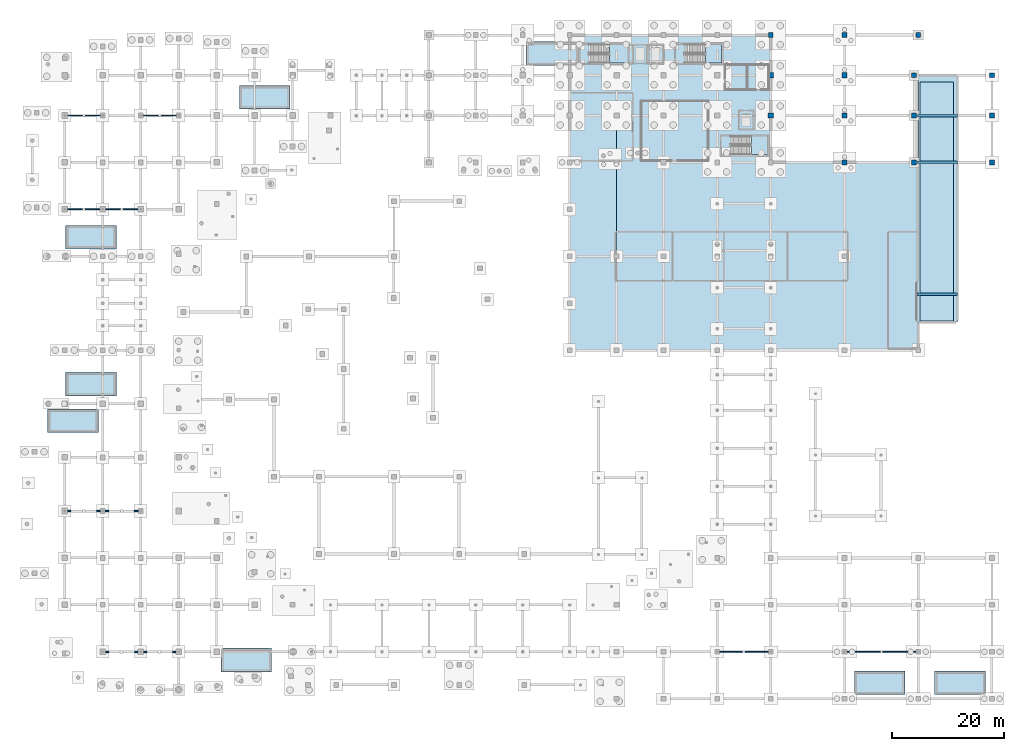
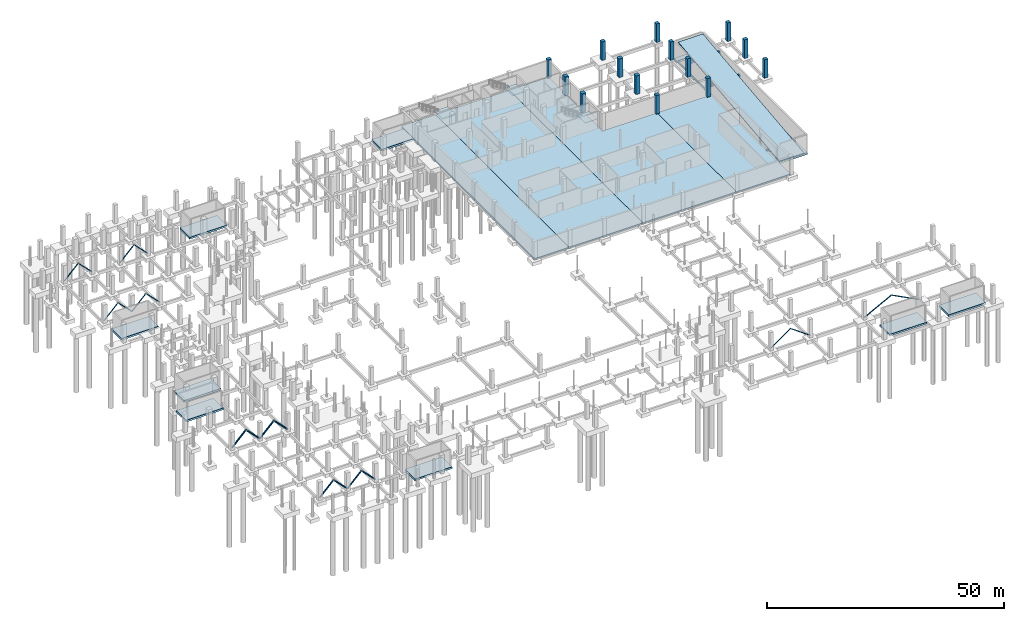
# One storey, part 30 of 44: 20 members, 16 slabs, 14 columns, 3 beams, 3 elements without a shape of their own.
"""IFC4 building model written with IfcOpenShell, lengths in metres."""

from ifc_helpers import new_model, si_unit, direction, frame, origin, origin_2d, place, context, subcontext, project, spatial, polyline, rectangle, hollow_rectangle, hollow_circle, outline, extrude, material, layer, layer_set, material_profile, profile_set, type_object, element, aggregate, save


model = new_model("IFC4")

# Units and contexts
model_context = context("Model", 3, precision=1e-05, world=origin(), true_north=direction((0.0, 1.0)))
body_context = subcontext(model_context, "Body", "Model", "MODEL_VIEW")
ifc_project = project(units=[si_unit("LENGTHUNIT", "METRE"), si_unit("AREAUNIT", "SQUARE_METRE"), si_unit("VOLUMEUNIT", "CUBIC_METRE"), si_unit("PLANEANGLEUNIT", "RADIAN"), si_unit("MASSUNIT", "GRAM", prefix="KILO")], contexts=[model_context])

# Site, building, storey
site_placement = place(None, origin())
site = spatial("IfcSite", under=ifc_project, at=site_placement, CompositionType="ELEMENT")
building_placement = place(site_placement, origin())
building = spatial("IfcBuilding", under=site, at=building_placement, Name="Kisaragi Civic Commons", CompositionType="ELEMENT")
storey_placement = place(building_placement, frame((0.0, 0.0, -4.800048828125)))
storey = spatial("IfcBuildingStorey", under=building, at=storey_placement, Name="B1", CompositionType="ELEMENT", Elevation=-4.800048828125)

# Columns
ifc_material_1 = material(Name="Concrete Fc36", Category="concrete")
ifc_material_profile_1 = material_profile(ifc_material_1, rectangle(XDim=0.85009765625, YDim=0.85009765625, at=origin_2d()), Name="RC-850x850", Category="concrete")
ifc_profile_set_1 = profile_set([ifc_material_profile_1], Name="Concrete Fc36")
column_type_1 = type_object("IfcColumnType", Name="C-05", PredefinedType="COLUMN", material=ifc_profile_set_1)
for number, where, z_axis, x_axis, name in (
    (1, (133.199951171875, 118.800048828125, 0.0), (0.0, 0.0, 1.0), (1.0, 0.0, 0.0), "B1 column C-05 (133.2,118.8)"),
    (2, (146.39990234375, 96.0, 0.0), (0.0, 0.0, 1.0), (1.0, 0.0, 0.0), "B1 column C-05 (146.4,96.0)"),
    (3, (146.39990234375, 118.800048828125, 0.0), (0.0, 0.0, 1.0), (1.0, 0.0, 0.0), "B1 column C-05 (146.4,118.8)"),
    (4, (158.85009765625, 96.0, 0.0), (0.0, 0.0, 1.0), (1.0, 0.0, 0.0), "B1 column C-05 (158.8,96.0)"),
    (5, (158.85009765625, 104.39990234375, 0.0), (0.0, 0.0, 1.0), (1.0, 0.0, 0.0), "B1 column C-05 (158.8,104.4)"),
    (6, (158.85009765625, 111.60009765625, 0.0), (0.0, 0.0, 1.0), (1.0, 0.0, 0.0), "B1 column C-05 (158.8,111.6)"),
    (7, (159.60009765625, 118.800048828125, 0.0), (0.0, 0.0, 1.0), (1.0, 0.0, 0.0), "B1 column C-05 (159.6,118.8)"),
    (8, (172.800048828125, 96.0, 0.0), (0.0, 0.0, 1.0), (1.0, 0.0, 0.0), "B1 column C-05 (172.8,96.0)"),
    (9, (172.800048828125, 104.39990234375, 0.0), (0.0, 0.0, 1.0), (1.0, 0.0, 0.0), "B1 column C-05 (172.8,104.4)"),
    (10, (172.800048828125, 111.60009765625, 0.0), (0.0, 0.0, 1.0), (1.0, 0.0, 0.0), "B1 column C-05 (172.8,111.6)"),
):
    element("IfcColumn", number, at=place(storey_placement, frame(where, z_axis=z_axis, x_axis=x_axis)), inside=storey, type_object=column_type_1, Name=name, PredefinedType="COLUMN", context=body_context, shape_type="SweptSolid", body=[
        extrude(rectangle(XDim=0.85009765625, YDim=0.85009765625, at=origin_2d()), origin(), (0.0, 0.0, 1.0), 4.800048828125),
    ])
ifc_material_profile_2 = material_profile(ifc_material_1, rectangle(XDim=0.949951171875, YDim=0.949951171875, at=origin_2d()), Name="RC-950x950", Category="concrete")
ifc_profile_set_2 = profile_set([ifc_material_profile_2], Name="Concrete Fc36")
column_type_2 = type_object("IfcColumnType", Name="C-11", PredefinedType="COLUMN", material=ifc_profile_set_2)
for number, where, z_axis, x_axis, name in (
    (11, (133.199951171875, 104.39990234375, 0.0), (0.0, 0.0, 1.0), (1.0, 0.0, 0.0), "B1 column C-11 (133.2,104.4)"),
    (12, (133.199951171875, 111.60009765625, 0.0), (0.0, 0.0, 1.0), (1.0, 0.0, 0.0), "B1 column C-11 (133.2,111.6)"),
    (13, (146.39990234375, 104.39990234375, 0.0), (0.0, 0.0, 1.0), (1.0, 0.0, 0.0), "B1 column C-11 (146.4,104.4)"),
    (14, (146.39990234375, 111.60009765625, 0.0), (0.0, 0.0, 1.0), (1.0, 0.0, 0.0), "B1 column C-11 (146.4,111.6)"),
):
    element("IfcColumn", number, at=place(storey_placement, frame(where, z_axis=z_axis, x_axis=x_axis)), inside=storey, type_object=column_type_2, Name=name, PredefinedType="COLUMN", context=body_context, shape_type="SweptSolid", body=[
        extrude(rectangle(XDim=0.949951171875, YDim=0.949951171875, at=origin_2d()), origin(), (0.0, 0.0, 1.0), 4.800048828125),
    ])

# Members
ifc_material_2 = material(Name="Steel SN490 (SN490B)", Category="steel")
ifc_material_profile_3 = material_profile(ifc_material_2, hollow_circle(Radius=0.120849609375, WallThickness=0.008056640625, at=origin_2d()), Name="CHS-241.8x8.0", Category="steel")
ifc_profile_set_3 = profile_set([ifc_material_profile_3], Name="Steel SN490 (SN490B)")
member_type_1 = type_object("IfcMemberType", Name="BR-01", PredefinedType="BRACE", material=ifc_profile_set_3)
for number, where, z_axis, x_axis, name in (
    (15, (6.800048828125, 87.60009765625, 0.400146484375), (0.703990981586, 0.0, 0.71020891141), (0.0, 1.0, 0.0), "B1 substructure chevron brace BR-01 9"),
    (16, (13.60009765625, 87.60009765625, 0.400146484375), (-0.704016478625, 0.0, 0.710183636692), (0.0, -1.0, 0.0), "B1 substructure chevron brace BR-01 10"),
    (17, (13.60009765625, 87.60009765625, 0.400146484375), (0.703990981586, 0.0, 0.71020891141), (0.0, 1.0, 0.0), "B1 substructure chevron brace BR-01 11"),
    (18, (20.39990234375, 87.60009765625, 0.400146484375), (-0.703990981586, 0.0, 0.71020891141), (0.0, -1.0, 0.0), "B1 substructure chevron brace BR-01 12"),
):
    element("IfcMember", number, at=place(storey_placement, frame(where, z_axis=z_axis, x_axis=x_axis)), inside=storey, type_object=member_type_1, Name=name, PredefinedType="BRACE", context=body_context, shape_type="SweptSolid", body=[
        extrude(hollow_circle(Radius=0.120849609375, WallThickness=0.008056640625, at=origin_2d()), origin(), (0.0, 0.0, 1.0), 4.82958984375),
    ])
member_1_placement = place(storey_placement, frame((123.60009765625, 8.39990234375, 0.400146484375), z_axis=(0.81361321594, 0.0, 0.58140651428), x_axis=(0.0, 1.0, 0.0)))
element("IfcMember", 19, at=member_1_placement, inside=storey, type_object=member_type_1, Name="B1 substructure chevron brace BR-01 17", PredefinedType="BRACE", context=body_context, shape_type="SweptSolid", body=[
    extrude(hollow_circle(Radius=0.120849609375, WallThickness=0.008056640625, at=origin_2d()), origin(), (0.0, 0.0, 1.0), 5.8994140625),
])
member_2_placement = place(storey_placement, frame((133.199951171875, 8.39990234375, 0.400146484375), z_axis=(-0.813627204479, 0.0, 0.581386938392), x_axis=(0.0, -1.0, 0.0)))
element("IfcMember", 20, at=member_2_placement, inside=storey, type_object=member_type_1, Name="B1 substructure chevron brace BR-01 18", PredefinedType="BRACE", context=body_context, shape_type="SweptSolid", body=[
    extrude(hollow_circle(Radius=0.120849609375, WallThickness=0.008056640625, at=origin_2d()), origin(), (0.0, 0.0, 1.0), 5.899658203125),
])
ifc_material_3 = material(Name="Steel BCR295", Category="steel")
ifc_material_profile_4 = material_profile(ifc_material_3, hollow_rectangle(XDim=0.199951171875, YDim=0.199951171875, WallThickness=0.009033203125, InnerFilletRadius=0.009033203125, OuterFilletRadius=0.01806640625, at=origin_2d()), Name="BCR-200x200x9", Category="steel")
ifc_profile_set_4 = profile_set([ifc_material_profile_4], Name="Steel BCR295")
member_type_2 = type_object("IfcMemberType", Name="BR-03", PredefinedType="BRACE", material=ifc_profile_set_4)
for number, where, z_axis, x_axis, name in (
    (21, (6.800048828125, 104.39990234375, 0.400146484375), (0.703990981586, 0.0, 0.71020891141), (0.0, 1.0, 0.0), "B1 substructure chevron brace BR-03 13"),
    (22, (13.60009765625, 104.39990234375, 0.400146484375), (-0.704016478625, 0.0, 0.710183636692), (0.0, -1.0, 0.0), "B1 substructure chevron brace BR-03 14"),
    (23, (20.39990234375, 104.39990234375, 0.400146484375), (0.704016478625, 0.0, 0.710183636692), (0.0, 1.0, 0.0), "B1 substructure chevron brace BR-03 15"),
    (24, (27.199951171875, 104.39990234375, 0.400146484375), (-0.703990981586, 0.0, 0.71020891141), (0.0, -1.0, 0.0), "B1 substructure chevron brace BR-03 16"),
):
    element("IfcMember", number, at=place(storey_placement, frame(where, z_axis=z_axis, x_axis=x_axis)), inside=storey, type_object=member_type_2, Name=name, PredefinedType="BRACE", context=body_context, shape_type="SweptSolid", body=[
        extrude(hollow_rectangle(XDim=0.199951171875, YDim=0.199951171875, WallThickness=0.009033203125, InnerFilletRadius=0.009033203125, OuterFilletRadius=0.01806640625, at=origin_2d()), origin(), (0.0, 0.0, 1.0), 4.82958984375),
    ])
for number, where, z_axis, x_axis, name in (
    (25, (146.39990234375, 8.39990234375, 0.400146484375), (0.887333389148, 0.0, 0.461128459871), (0.0, 1.0, 0.0), "B1 substructure chevron brace BR-03 19"),
    (26, (159.60009765625, 8.39990234375, 0.400146484375), (-0.887333389148, 0.0, 0.461128459871), (0.0, -1.0, 0.0), "B1 substructure chevron brace BR-03 20"),
):
    element("IfcMember", number, at=place(storey_placement, frame(where, z_axis=z_axis, x_axis=x_axis)), inside=storey, type_object=member_type_2, Name=name, PredefinedType="BRACE", context=body_context, shape_type="SweptSolid", body=[
        extrude(hollow_rectangle(XDim=0.199951171875, YDim=0.199951171875, WallThickness=0.009033203125, InnerFilletRadius=0.009033203125, OuterFilletRadius=0.01806640625, at=origin_2d()), origin(), (0.0, 0.0, 1.0), 7.438232421875),
    ])
ifc_material_profile_5 = material_profile(ifc_material_2, hollow_circle(Radius=0.177734375, WallThickness=0.011962890625, at=origin_2d()), Name="CHS-355.6x12.0", Category="steel")
ifc_profile_set_5 = profile_set([ifc_material_profile_5], Name="Steel SN490 (SN490B)")
member_type_3 = type_object("IfcMemberType", Name="BR-04", PredefinedType="BRACE", material=ifc_profile_set_5)
for number, where, z_axis, x_axis, name in (
    (27, (13.60009765625, 8.39990234375, 0.400146484375), (0.703990981586, 0.0, 0.71020891141), (0.0, 1.0, 0.0), "B1 substructure chevron brace BR-04 1"),
    (28, (20.39990234375, 8.39990234375, 0.400146484375), (-0.703990981586, 0.0, 0.71020891141), (0.0, -1.0, 0.0), "B1 substructure chevron brace BR-04 2"),
    (29, (20.39990234375, 8.39990234375, 0.400146484375), (0.704016478625, 0.0, 0.710183636692), (0.0, 1.0, 0.0), "B1 substructure chevron brace BR-04 3"),
    (30, (27.199951171875, 8.39990234375, 0.400146484375), (-0.703990981586, 0.0, 0.71020891141), (0.0, -1.0, 0.0), "B1 substructure chevron brace BR-04 4"),
):
    element("IfcMember", number, at=place(storey_placement, frame(where, z_axis=z_axis, x_axis=x_axis)), inside=storey, type_object=member_type_3, Name=name, PredefinedType="BRACE", context=body_context, shape_type="SweptSolid", body=[
        extrude(hollow_circle(Radius=0.177734375, WallThickness=0.011962890625, at=origin_2d()), origin(), (0.0, 0.0, 1.0), 4.82958984375),
    ])
ifc_material_profile_6 = material_profile(ifc_material_2, hollow_circle(Radius=0.203125, WallThickness=0.0126953125, at=origin_2d()), Name="CHS-406.4x12.7", Category="steel")
ifc_profile_set_6 = profile_set([ifc_material_profile_6], Name="Steel SN490 (SN490B)")
member_type_4 = type_object("IfcMemberType", Name="BR-05", PredefinedType="BRACE", material=ifc_profile_set_6)
for number, where, z_axis, x_axis, name in (
    (31, (6.800048828125, 33.60009765625, 0.400146484375), (0.703990981586, 0.0, 0.71020891141), (0.0, 1.0, 0.0), "B1 substructure chevron brace BR-05 5"),
    (32, (13.60009765625, 33.60009765625, 0.400146484375), (-0.704016478625, 0.0, 0.710183636692), (0.0, -1.0, 0.0), "B1 substructure chevron brace BR-05 6"),
    (33, (13.60009765625, 33.60009765625, 0.400146484375), (0.703990981586, 0.0, 0.71020891141), (0.0, 1.0, 0.0), "B1 substructure chevron brace BR-05 7"),
    (34, (20.39990234375, 33.60009765625, 0.400146484375), (-0.703990981586, 0.0, 0.71020891141), (0.0, -1.0, 0.0), "B1 substructure chevron brace BR-05 8"),
):
    element("IfcMember", number, at=place(storey_placement, frame(where, z_axis=z_axis, x_axis=x_axis)), inside=storey, type_object=member_type_4, Name=name, PredefinedType="BRACE", context=body_context, shape_type="SweptSolid", body=[
        extrude(hollow_circle(Radius=0.203125, WallThickness=0.0126953125, at=origin_2d()), origin(), (0.0, 0.0, 1.0), 4.82958984375),
    ])

# Beams
ifc_material_4 = material(Name="Concrete Fc30", Category="concrete")
ifc_material_profile_7 = material_profile(ifc_material_4, rectangle(XDim=0.449951171875, YDim=0.800048828125, at=origin_2d()), Name="RC-450x800", Category="concrete")
ifc_profile_set_7 = profile_set([ifc_material_profile_7], Name="Concrete Fc30")
beam_type = type_object("IfcBeamType", Name="G-03", PredefinedType="BEAM", material=ifc_profile_set_7)
for number, where, z_axis, x_axis, name in (
    (35, (159.4599609375, 72.39990234375, -0.114990234375), (1.0, 0.0, 0.0), (0.0, 1.0, 0.0), "Vehicle ramp VR-01 support girder 1"),
    (36, (159.4599609375, 96.0, 2.5341796875), (1.0, 0.0, 0.0), (0.0, 1.0, 0.0), "Vehicle ramp VR-01 support girder 2"),
    (37, (159.4599609375, 104.39990234375, 3.47705078125), (1.0, 0.0, 0.0), (0.0, 1.0, 0.0), "Vehicle ramp VR-01 support girder 3"),
):
    element("IfcBeam", number, at=place(storey_placement, frame(where, z_axis=z_axis, x_axis=x_axis)), inside=storey, type_object=beam_type, Name=name, PredefinedType="BEAM", context=body_context, shape_type="SweptSolid", body=[
        extrude(rectangle(XDim=0.449951171875, YDim=0.800048828125, at=origin_2d()), origin(), (0.0, 0.0, 1.0), 7.14013671875),
    ])

# Slabs
ifc_layer_1 = layer(ifc_material_4, 0.4599609375, Name="Concrete Fc30", Category="concrete")
ifc_layer_set_1 = layer_set([ifc_layer_1], Name="Concrete Fc30")
slab_type_1 = type_object("IfcSlabType", Name="SL-B1", PredefinedType="BASESLAB", material=ifc_layer_set_1)
slab_1_placement = place(storey_placement, frame((0.0, 0.0, -0.4599609375)))
element("IfcSlab", 38, at=slab_1_placement, inside=storey, type_object=slab_type_1, Name="V4 B1 slab SL-B1 31", PredefinedType="BASESLAB", context=body_context, shape_type="SweptSolid", body=[
    extrude(outline(polyline([(97.5, 62.39990234375), (105.300048828125, 62.39990234375), (105.60009765625, 62.699951171875), (105.60009765625, 118.5), (105.300048828125, 118.800048828125), (97.5, 118.800048828125), (97.199951171875, 118.5), (97.199951171875, 62.699951171875), (97.5, 62.39990234375)])), origin(), (0.0, 0.0, 1.0), 0.4599609375),
])
slab_2_placement = place(storey_placement, frame((0.0, 0.0, -0.4599609375)))
element("IfcSlab", 39, at=slab_2_placement, inside=storey, type_object=slab_type_1, Name="V4 B1 slab SL-B1 32", PredefinedType="BASESLAB", context=body_context, shape_type="SweptSolid", body=[
    extrude(outline(polyline([(105.89990234375, 62.39990234375), (123.300048828125, 62.39990234375), (123.60009765625, 62.699951171875), (123.60009765625, 118.5), (123.300048828125, 118.800048828125), (105.89990234375, 118.800048828125), (105.60009765625, 118.5), (105.60009765625, 62.699951171875), (105.89990234375, 62.39990234375)])), origin(), (0.0, 0.0, 1.0), 0.4599609375),
])
slab_3_placement = place(storey_placement, frame((0.0, 0.0, -0.4599609375)))
element("IfcSlab", 40, at=slab_3_placement, inside=storey, type_object=slab_type_1, Name="V4 B1 slab SL-B1 33", PredefinedType="BASESLAB", context=body_context, shape_type="SweptSolid", body=[
    extrude(outline(polyline([(123.60009765625, 118.800048828125), (123.60009765625, 62.39990234375), (146.39990234375, 62.39990234375), (146.39990234375, 96.0), (133.199951171875, 96.0), (133.199951171875, 118.800048828125), (123.60009765625, 118.800048828125)])), origin(), (0.0, 0.0, 1.0), 0.4599609375),
])
slab_4_placement = place(storey_placement, frame((0.0, 0.0, -0.4599609375)))
element("IfcSlab", 41, at=slab_4_placement, inside=storey, type_object=slab_type_1, Name="V4 B1 slab SL-B1 34", PredefinedType="BASESLAB", context=body_context, shape_type="SweptSolid", body=[
    extrude(outline(polyline([(146.39990234375, 96.0), (146.39990234375, 62.39990234375), (159.60009765625, 62.39990234375), (159.60009765625, 67.39990234375), (166.60009765625, 67.39990234375), (166.60009765625, 111.60009765625), (159.60009765625, 111.60009765625), (159.60009765625, 96.0), (146.39990234375, 96.0)]), holes=[polyline([(165.949951171875, 110.35009765625), (159.85009765625, 110.35009765625), (159.85009765625, 67.60009765625), (165.949951171875, 67.60009765625), (165.949951171875, 110.35009765625)])]), origin(), (0.0, 0.0, 1.0), 0.4599609375),
])
slab_5_placement = place(storey_placement, frame((0.0, 0.0, -0.4599609375)))
element("IfcSlab", 42, at=slab_5_placement, inside=storey, type_object=slab_type_1, Name="ST-L4 foundation base slab", PredefinedType="BASESLAB", context=body_context, shape_type="SweptSolid", body=[
    extrude(outline(polyline([(97.179931640625, 113.35009765625), (97.179931640625, 117.64990234375), (89.35009765625, 117.64990234375), (89.35009765625, 113.35009765625), (97.179931640625, 113.35009765625)])), origin(), (0.0, 0.0, 1.0), 0.4599609375),
])
slab_6_placement = place(storey_placement, frame((0.0, 0.0, -0.4599609375)))
element("IfcSlab", 43, at=slab_6_placement, inside=storey, type_object=slab_type_1, Name="ST-M1 foundation base slab", PredefinedType="BASESLAB", context=body_context, shape_type="SweptSolid", body=[
    extrude(outline(polyline([(6.949951171875, 54.14990234375), (16.050048828125, 54.14990234375), (16.050048828125, 58.449951171875), (6.949951171875, 58.449951171875), (6.949951171875, 54.14990234375)])), origin(), (0.0, 0.0, 1.0), 0.4599609375),
])
slab_7_placement = place(storey_placement, frame((0.0, 0.0, -0.4599609375)))
element("IfcSlab", 44, at=slab_7_placement, inside=storey, type_object=slab_type_1, Name="ST-M2 foundation base slab", PredefinedType="BASESLAB", context=body_context, shape_type="SweptSolid", body=[
    extrude(outline(polyline([(34.75, 4.75), (43.85009765625, 4.75), (43.85009765625, 9.050048828125), (34.75, 9.050048828125), (34.75, 4.75)])), origin(), (0.0, 0.0, 1.0), 0.4599609375),
])
slab_8_placement = place(storey_placement, frame((0.0, 0.0, -0.4599609375)))
element("IfcSlab", 45, at=slab_8_placement, inside=storey, type_object=slab_type_1, Name="ST-M3 foundation base slab", PredefinedType="BASESLAB", context=body_context, shape_type="SweptSolid", body=[
    extrude(outline(polyline([(3.75, 47.64990234375), (12.85009765625, 47.64990234375), (12.85009765625, 51.85009765625), (3.75, 51.85009765625), (3.75, 47.64990234375)])), origin(), (0.0, 0.0, 1.0), 0.4599609375),
])
slab_9_placement = place(storey_placement, frame((0.0, 0.0, -0.4599609375)))
element("IfcSlab", 46, at=slab_9_placement, inside=storey, type_object=slab_type_1, Name="ST-S1 foundation base slab", PredefinedType="BASESLAB", context=body_context, shape_type="SweptSolid", body=[
    extrude(outline(polyline([(6.949951171875, 80.550048828125), (16.050048828125, 80.550048828125), (16.050048828125, 84.75), (6.949951171875, 84.75), (6.949951171875, 80.550048828125)])), origin(), (0.0, 0.0, 1.0), 0.4599609375),
])
slab_10_placement = place(storey_placement, frame((0.0, 0.0, -0.4599609375)))
element("IfcSlab", 47, at=slab_10_placement, inside=storey, type_object=slab_type_1, Name="ST-S2 foundation base slab", PredefinedType="BASESLAB", context=body_context, shape_type="SweptSolid", body=[
    extrude(outline(polyline([(38.050048828125, 105.550048828125), (47.14990234375, 105.550048828125), (47.14990234375, 109.75), (38.050048828125, 109.75), (38.050048828125, 105.550048828125)])), origin(), (0.0, 0.0, 1.0), 0.4599609375),
])
slab_11_placement = place(storey_placement, frame((0.0, 0.0, -0.4599609375)))
element("IfcSlab", 48, at=slab_11_placement, inside=storey, type_object=slab_type_1, Name="ST-D1 foundation base slab", PredefinedType="BASESLAB", context=body_context, shape_type="SweptSolid", body=[
    extrude(outline(polyline([(148.14990234375, 0.75), (157.25, 0.75), (157.25, 4.949951171875), (148.14990234375, 4.949951171875), (148.14990234375, 0.75)])), origin(), (0.0, 0.0, 1.0), 0.4599609375),
])
slab_12_placement = place(storey_placement, frame((0.0, 0.0, -0.4599609375)))
element("IfcSlab", 49, at=slab_12_placement, inside=storey, type_object=slab_type_1, Name="ST-D2 foundation base slab", PredefinedType="BASESLAB", context=body_context, shape_type="SweptSolid", body=[
    extrude(outline(polyline([(162.550048828125, 0.75), (171.64990234375, 0.75), (171.64990234375, 4.949951171875), (162.550048828125, 4.949951171875), (162.550048828125, 0.75)])), origin(), (0.0, 0.0, 1.0), 0.4599609375),
])
ifc_layer_2 = layer(ifc_material_1, 0.25, Name="Concrete Fc36", Category="concrete")
ifc_layer_set_2 = layer_set([ifc_layer_2], Name="Concrete Fc36")
slab_type_2 = type_object("IfcSlabType", Name="SL-RMP", PredefinedType="FLOOR", material=ifc_layer_set_2)
slab_13_placement = place(storey_placement, frame((159.8798828125, 67.6201171875, 0.0), z_axis=(0.0, -0.111555520189, 0.993758202942), x_axis=(1.0, 0.0, 0.0)))
element("IfcSlab", 50, at=slab_13_placement, inside=storey, type_object=slab_type_2, Name="Vehicle ramp VR-01 structural concrete slab", PredefinedType="FLOOR", context=body_context, shape_type="SweptSolid", body=[
    extrude(outline(polyline([(0.0, 0.0), (6.0400390625, 0.0), (6.0400390625, 43.02833978969344), (0.0, 43.02833978969344), (0.0, 0.0)])), origin(), (0.0, 0.0, -1.0), 0.25),
])

# Stair, slab
stair_type = type_object("IfcStairType", Name="ST-A", PredefinedType="HALF_TURN_STAIR", material=ifc_material_4)
stair_1_placement = place(storey_placement, origin())
stair_1 = element("IfcStair", 51, at=stair_1_placement, inside=storey, type_object=stair_type, Name="B1 Stair ST-L1", PredefinedType="HALF_TURN_STAIR")
ifc_layer_3 = layer(ifc_material_4, 0.199951171875, Name="Concrete Fc30", Category="concrete")
ifc_layer_set_3 = layer_set([ifc_layer_3], Name="Concrete Fc30")
slab_type_3 = type_object("IfcSlabType", Name="STL-01", PredefinedType="LANDING", material=ifc_layer_set_3)
slab_14_placement = place(storey_placement, frame((0.0, 0.0, 2.199951171875)))
slab_14 = element("IfcSlab", 52, at=slab_14_placement, type_object=slab_type_3, Name="ST-L1 landing 1", PredefinedType="LANDING", context=body_context, shape_type="SweptSolid", body=[
    extrude(outline(polyline([(104.3701171875, 113.800048828125), (107.60009765625, 113.800048828125), (107.60009765625, 117.10009765625), (104.3701171875, 117.10009765625), (104.3701171875, 113.800048828125)])), origin(), (0.0, 0.0, 1.0), 0.2001953125),
])
aggregate(stair_1, [slab_14])

stair_2_placement = place(storey_placement, origin())
stair_2 = element("IfcStair", 53, at=stair_2_placement, inside=storey, type_object=stair_type, Name="B1 Stair ST-L2", PredefinedType="HALF_TURN_STAIR")
slab_15_placement = place(storey_placement, frame((0.0, 0.0, 2.199951171875)))
slab_15 = element("IfcSlab", 54, at=slab_15_placement, type_object=slab_type_3, Name="ST-L2 landing 1", PredefinedType="LANDING", context=body_context, shape_type="SweptSolid", body=[
    extrude(outline(polyline([(121.52001953125, 113.800048828125), (124.39990234375, 113.800048828125), (124.39990234375, 117.10009765625), (121.52001953125, 117.10009765625), (121.52001953125, 113.800048828125)])), origin(), (0.0, 0.0, 1.0), 0.2001953125),
])
aggregate(stair_2, [slab_15])

stair_3_placement = place(storey_placement, origin())
stair_3 = element("IfcStair", 55, at=stair_3_placement, inside=storey, type_object=stair_type, Name="B1 Stair ST-L3", PredefinedType="HALF_TURN_STAIR")
slab_16_placement = place(storey_placement, frame((0.0, 0.0, 2.199951171875)))
slab_16 = element("IfcSlab", 56, at=slab_16_placement, type_object=slab_type_3, Name="ST-L3 landing 1", PredefinedType="LANDING", context=body_context, shape_type="SweptSolid", body=[
    extrude(outline(polyline([(129.719970703125, 97.39990234375), (132.60009765625, 97.39990234375), (132.60009765625, 100.699951171875), (129.719970703125, 100.699951171875), (129.719970703125, 97.39990234375)])), origin(), (0.0, 0.0, 1.0), 0.2001953125),
])
aggregate(stair_3, [slab_16])

save(model, "model.ifc")
